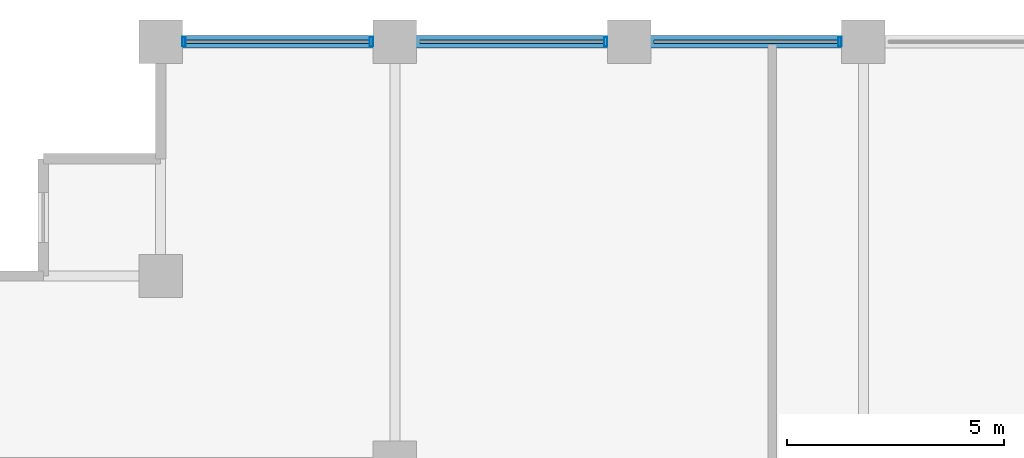
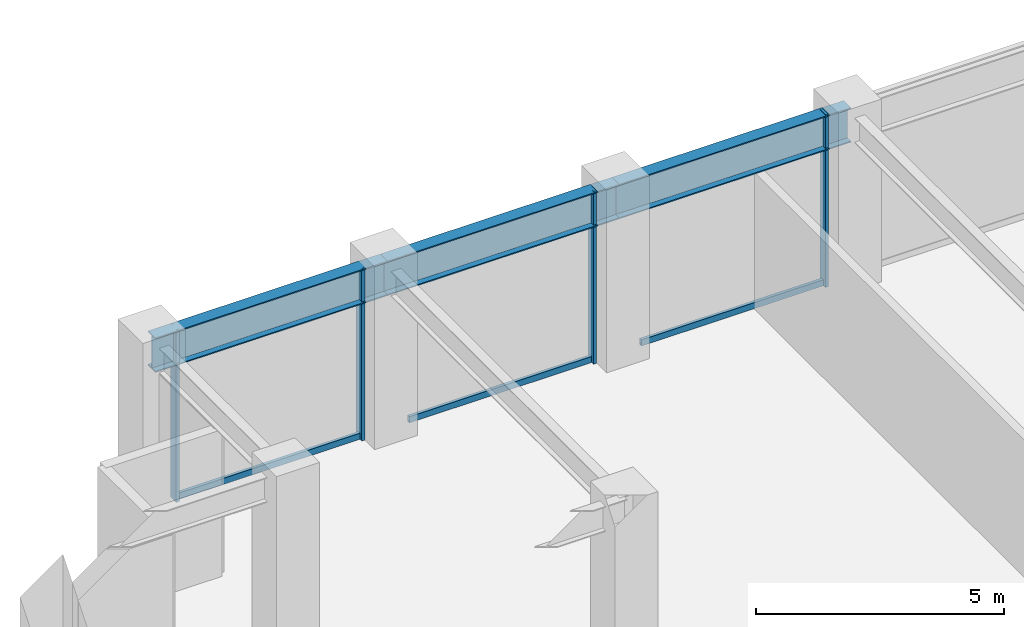
# One storey, part 11 of 25: 7 members, 3 beams, 1 element without a shape of its own.
"""IFC4 building model written with IfcOpenShell, lengths in metres."""

from ifc_helpers import new_model, si_unit, direction, frame, origin, origin_2d, place, context, subcontext, project, spatial, hollow_rectangle, i_section, extrude, material, layer, layer_set, material_profile, profile_set, type_object, element, aggregate, save


model = new_model("IFC4")

# Units and contexts
model_context = context("Model", 3, precision=1e-05, world=origin(), true_north=direction((0.0, 1.0)))
body_context = subcontext(model_context, "Body", "Model", "MODEL_VIEW")
ifc_project = project(units=[si_unit("LENGTHUNIT", "METRE"), si_unit("AREAUNIT", "SQUARE_METRE"), si_unit("VOLUMEUNIT", "CUBIC_METRE"), si_unit("PLANEANGLEUNIT", "RADIAN"), si_unit("MASSUNIT", "GRAM", prefix="KILO")], contexts=[model_context])

# Site, building, storey
site_placement = place(None, origin())
site = spatial("IfcSite", under=ifc_project, at=site_placement, CompositionType="ELEMENT")
building_placement = place(site_placement, origin())
building = spatial("IfcBuilding", under=site, at=building_placement, Name="Surkhivell Harbour Commons", CompositionType="ELEMENT")
storey_placement = place(building_placement, frame((0.0, 0.0, 162.0)))
storey = spatial("IfcBuildingStorey", under=building, at=storey_placement, Name="L42", CompositionType="ELEMENT", Elevation=162.0)

# Beams
ifc_material_1 = material(Name="Steel S460", Category="steel")
ifc_material_profile_1 = material_profile(ifc_material_1, i_section(OverallWidth=0.2939453125, OverallDepth=0.85107421875, WebThickness=0.01611328125, FlangeThickness=0.02685546875, at=origin_2d()), Name="UB838x292x226")
ifc_profile_set_1 = profile_set([ifc_material_profile_1], Name="Steel S460")
beam_type = type_object("IfcBeamType", Name="BM-SPN-838", PredefinedType="SPANDREL", material=ifc_profile_set_1)
beam_1_placement = place(storey_placement, frame((-27.0, 25.89990234375, 3.824462890625), z_axis=(1.0, 0.0, 0.0), x_axis=(0.0, 1.0, 0.0)))
element("IfcBeam", 1, at=beam_1_placement, inside=storey, type_object=beam_type, Name="L42 Tube Spandrel (-27.0,25.9)", PredefinedType="SPANDREL", context=body_context, shape_type="SweptSolid", body=[
    extrude(i_section(OverallWidth=0.2939453125, OverallDepth=0.85107421875, WebThickness=0.01611328125, FlangeThickness=0.02685546875, at=origin_2d()), origin(), (0.0, 0.0, 1.0), 5.39990234375),
])
beam_2_placement = place(storey_placement, frame((-21.60009765625, 25.89990234375, 3.824462890625), z_axis=(1.0, 0.0, 0.0), x_axis=(0.0, 1.0, 0.0)))
element("IfcBeam", 2, at=beam_2_placement, inside=storey, type_object=beam_type, Name="L42 Tube Spandrel (-21.6,25.9)", PredefinedType="SPANDREL", context=body_context, shape_type="SweptSolid", body=[
    extrude(i_section(OverallWidth=0.2939453125, OverallDepth=0.85107421875, WebThickness=0.01611328125, FlangeThickness=0.02685546875, at=origin_2d()), origin(), (0.0, 0.0, 1.0), 5.400146484375),
])
beam_3_placement = place(storey_placement, frame((-16.199951171875, 25.89990234375, 3.824462890625), z_axis=(1.0, 0.0, 0.0), x_axis=(0.0, 1.0, 0.0)))
element("IfcBeam", 3, at=beam_3_placement, inside=storey, type_object=beam_type, Name="L42 Tube Spandrel (-16.2,25.9)", PredefinedType="SPANDREL", context=body_context, shape_type="SweptSolid", body=[
    extrude(i_section(OverallWidth=0.2939453125, OverallDepth=0.85107421875, WebThickness=0.01611328125, FlangeThickness=0.02685546875, at=origin_2d()), origin(), (0.0, 0.0, 1.0), 5.39990234375),
])

# Curtain wall, members
ifc_material_2 = material(Name="Anodised pale-metal aluminium and insulated glazing", Category="aluminium")
ifc_layer = layer(ifc_material_2, 0.205078125)
ifc_layer_set = layer_set([ifc_layer], Name="Anodised pale-metal aluminium and insulated glazing")
curtain_wall_type = type_object("IfcCurtainWallType", Name="CW-SYS-Z2", PredefinedType="NOTDEFINED", material=ifc_layer_set)
curtain_wall_placement = place(storey_placement, origin())
curtain_wall = element("IfcCurtainWall", 4, at=curtain_wall_placement, inside=storey, type_object=curtain_wall_type, Name="L42 Curtain Wall CW-L42-E07S2", PredefinedType="NOTDEFINED")
ifc_material_3 = material(Name="Anodised pale-metal aluminium alloy 6063-T6", Category="aluminium")
ifc_material_profile_2 = material_profile(ifc_material_3, hollow_rectangle(XDim=0.074951171875, YDim=0.219970703125, WallThickness=0.00390625, at=origin_2d()), Name="ALU-MULL-75x220")
ifc_profile_set_2 = profile_set([ifc_material_profile_2], Name="Anodised pale-metal aluminium alloy 6063-T6")
member_type_1 = type_object("IfcMemberType", Name="CWM-220", PredefinedType="MULLION", material=ifc_profile_set_2)
member_1_placement = place(storey_placement, frame((-11.339599609375, 25.89990234375, 0.0), z_axis=(0.0, 0.0, 1.0), x_axis=(-1.0, 0.0, 0.0)))
member_1 = element("IfcMember", 5, at=member_1_placement, type_object=member_type_1, Name="CW-Z2 mullion 2", PredefinedType="MULLION", context=body_context, shape_type="SweptSolid", body=[
    extrude(hollow_rectangle(XDim=0.074951171875, YDim=0.219970703125, WallThickness=0.00390625, at=origin_2d()), origin(), (0.0, 0.0, 1.0), 4.25),
])
member_2_placement = place(storey_placement, frame((-16.739501953125, 25.89990234375, 0.0), z_axis=(0.0, 0.0, 1.0), x_axis=(-1.0, 0.0, 0.0)))
member_2 = element("IfcMember", 6, at=member_2_placement, type_object=member_type_1, Name="CW-Z2 mullion 3", PredefinedType="MULLION", context=body_context, shape_type="SweptSolid", body=[
    extrude(hollow_rectangle(XDim=0.074951171875, YDim=0.219970703125, WallThickness=0.00390625, at=origin_2d()), origin(), (0.0, 0.0, 1.0), 4.25),
])
member_3_placement = place(storey_placement, frame((-22.139404296875, 25.89990234375, 0.0), z_axis=(0.0, 0.0, 1.0), x_axis=(-1.0, 0.0, 0.0)))
member_3 = element("IfcMember", 7, at=member_3_placement, type_object=member_type_1, Name="CW-Z2 mullion 4", PredefinedType="MULLION", context=body_context, shape_type="SweptSolid", body=[
    extrude(hollow_rectangle(XDim=0.074951171875, YDim=0.219970703125, WallThickness=0.00390625, at=origin_2d()), origin(), (0.0, 0.0, 1.0), 4.25),
])
member_4_placement = place(storey_placement, frame((-26.46044921875, 25.89990234375, 0.0), z_axis=(0.0, 0.0, 1.0), x_axis=(-1.0, 0.0, 0.0)))
member_4 = element("IfcMember", 8, at=member_4_placement, type_object=member_type_1, Name="CW-Z2 mullion 5", PredefinedType="MULLION", context=body_context, shape_type="SweptSolid", body=[
    extrude(hollow_rectangle(XDim=0.074951171875, YDim=0.219970703125, WallThickness=0.00390625, at=origin_2d()), origin(), (0.0, 0.0, 1.0), 4.25),
])
ifc_material_profile_3 = material_profile(ifc_material_3, hollow_rectangle(XDim=0.074951171875, YDim=0.14990234375, WallThickness=0.00341796875, at=origin_2d()), Name="ALU-TRAN-75x150")
ifc_profile_set_3 = profile_set([ifc_material_profile_3], Name="Anodised pale-metal aluminium alloy 6063-T6")
member_type_2 = type_object("IfcMemberType", Name="CWT-150", PredefinedType="USERDEFINED", material=ifc_profile_set_3)
member_5_placement = place(storey_placement, frame((-11.376953125, 25.89990234375, 0.074951171875), z_axis=(-1.0, 0.0, 0.0), x_axis=(0.0, -1.0, 0.0)))
member_5 = element("IfcMember", 9, at=member_5_placement, type_object=member_type_2, Name="CW-Z2 transom 2.1", ObjectType="TRANSOM", PredefinedType="USERDEFINED", context=body_context, shape_type="SweptSolid", body=[
    extrude(hollow_rectangle(XDim=0.074951171875, YDim=0.14990234375, WallThickness=0.00341796875, at=origin_2d()), origin(), (0.0, 0.0, 1.0), 4.24609375),
])
member_6_placement = place(storey_placement, frame((-16.777099609375, 25.89990234375, 0.074951171875), z_axis=(-1.0, 0.0, 0.0), x_axis=(0.0, -1.0, 0.0)))
member_6 = element("IfcMember", 10, at=member_6_placement, type_object=member_type_2, Name="CW-Z2 transom 3.1", ObjectType="TRANSOM", PredefinedType="USERDEFINED", context=body_context, shape_type="SweptSolid", body=[
    extrude(hollow_rectangle(XDim=0.074951171875, YDim=0.14990234375, WallThickness=0.00341796875, at=origin_2d()), origin(), (0.0, 0.0, 1.0), 4.245849609375),
])
member_7_placement = place(storey_placement, frame((-22.177001953125, 25.89990234375, 0.074951171875), z_axis=(-1.0, 0.0, 0.0), x_axis=(0.0, -1.0, 0.0)))
member_7 = element("IfcMember", 11, at=member_7_placement, type_object=member_type_2, Name="CW-Z2 transom 4.1", ObjectType="TRANSOM", PredefinedType="USERDEFINED", context=body_context, shape_type="SweptSolid", body=[
    extrude(hollow_rectangle(XDim=0.074951171875, YDim=0.14990234375, WallThickness=0.00341796875, at=origin_2d()), origin(), (0.0, 0.0, 1.0), 4.24609375),
])
aggregate(curtain_wall, [member_1, member_5, member_2, member_6, member_3, member_4, member_7])

save(model, "model.ifc")
